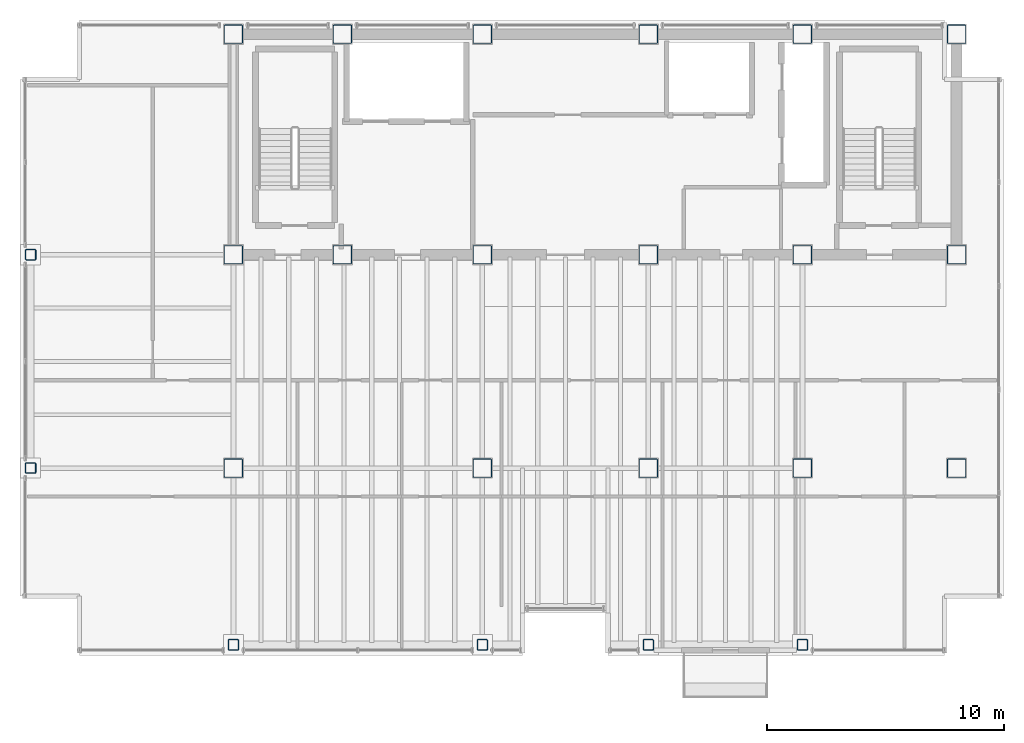
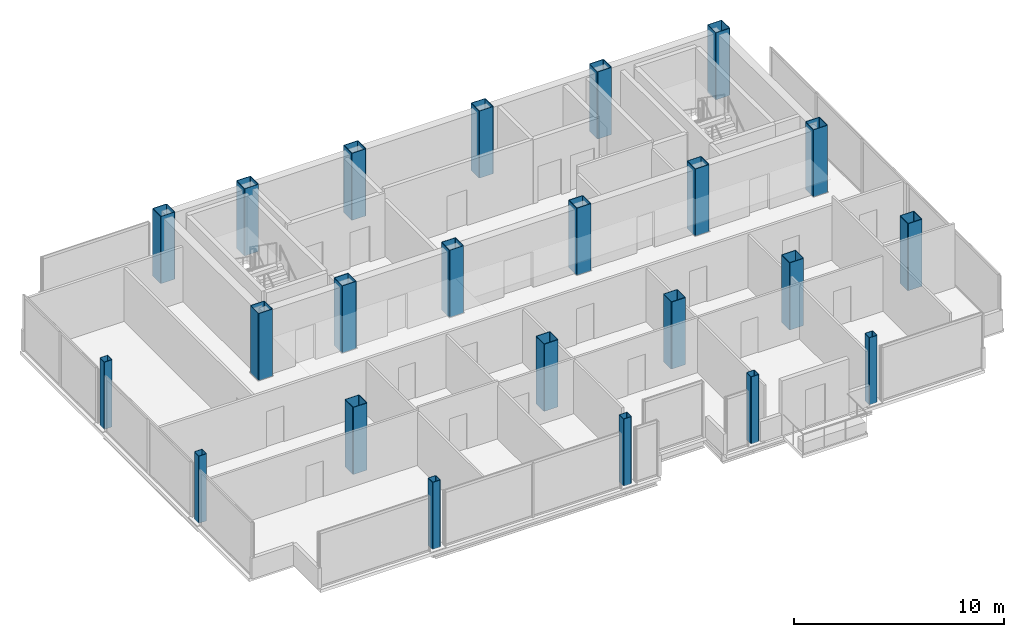
# One storey, part 1 of 17: 23 columns.
"""IFC4 building model written with IfcOpenShell, lengths in metres."""

import ifcopenshell
import ifcopenshell.guid

model = None  # the IFC model being written
_history = None  # IfcOwnerHistory: only IFC2X3 demands one
_inside = {}  # id of a spatial element -> (the spatial element, [elements in it])
_under = {}  # id of a project, library or spatial element -> (it, [spatial elements below it])
_declared = {}  # id of a project -> (the project, [libraries it declares])
_typed = {}  # id of a type object -> (the type object, [elements of that type])
_made_of = {}  # id of a material, layer set ... -> (it, [elements and type objects made of it])


def new_model(schema):
    """Start an empty IFC model of exactly this schema.

    Asked for "IFC4X3", IfcOpenShell would pick the latest addendum, in which some entities
    have other attributes; the version numbers below select the first issue.
    IFC2X3 requires an IfcOwnerHistory on every rooted entity: one is made here for all.
    """
    global model, _history
    if schema == "IFC4X3":
        model = ifcopenshell.file(schema_version=(4, 3, 0, 0))
    else:
        model = ifcopenshell.file(schema=schema)
    _inside.clear()
    _under.clear()
    _declared.clear()
    _typed.clear()
    _made_of.clear()
    _history = None
    if model.schema == "IFC2X3":
        org = make("IfcOrganization", Name="unknown")
        user = make(
            "IfcPersonAndOrganization",
            ThePerson=make("IfcPerson", FamilyName="unknown"),
            TheOrganization=org,
        )
        app = make(
            "IfcApplication",
            ApplicationDeveloper=org,
            Version="unknown",
            ApplicationFullName="unknown",
            ApplicationIdentifier="unknown",
        )
        _history = make(
            "IfcOwnerHistory",
            OwningUser=user,
            OwningApplication=app,
            ChangeAction="ADDED",
            CreationDate=0,
        )
    return model


def make(cls, **values):
    """One entity of the class cls with the attributes given. An attribute that is None is left unset."""
    return model.create_entity(
        cls, **{name: value for name, value in values.items() if value is not None}
    )


def rooted(cls, **values):
    """An entity with a GlobalId (a new one), such as an element, a storey or a relation."""
    return make(cls, GlobalId=ifcopenshell.guid.new(), OwnerHistory=_history, **values)


def si_unit(unit_type, name, prefix=None):
    """IfcSIUnit, for example si_unit("LENGTHUNIT", "METRE", prefix="MILLI")."""
    return make("IfcSIUnit", UnitType=unit_type, Prefix=prefix, Name=name)


def assignment(units):
    """IfcUnitAssignment: the units of a project."""
    return None if units is None else make("IfcUnitAssignment", Units=units)


def point(xyz):
    """IfcCartesianPoint."""
    return None if xyz is None else make("IfcCartesianPoint", Coordinates=xyz)


def direction(xyz):
    """IfcDirection."""
    return None if xyz is None else make("IfcDirection", DirectionRatios=xyz)


def frame(location, z_axis=None, x_axis=None):
    """IfcAxis2Placement3D, a coordinate frame: its origin and axes. An axis left out is left unset."""
    return make(
        "IfcAxis2Placement3D",
        Location=point(location),
        Axis=direction(z_axis),
        RefDirection=direction(x_axis),
    )


def frame_2d(location, x_axis=None):
    """IfcAxis2Placement2D, a coordinate frame in the plane: its origin and x axis."""
    return make(
        "IfcAxis2Placement2D", Location=point(location), RefDirection=direction(x_axis)
    )


def origin():
    """The frame at (0, 0, 0) with its axes left unset."""
    return frame((0.0, 0.0, 0.0))


def origin_2d():
    """The frame at (0, 0) in the plane with its x axis left unset."""
    return frame_2d((0.0, 0.0))


def place(relative_to, where):
    """IfcLocalPlacement: puts the frame where relative to a parent placement (None: the world)."""
    return make(
        "IfcLocalPlacement", PlacementRelTo=relative_to, RelativePlacement=where
    )


def context(
    kind, dimensions, precision=None, world=None, true_north=None, identifier=None
):
    """IfcGeometricRepresentationContext, for example the 3D "Model" context."""
    return make(
        "IfcGeometricRepresentationContext",
        ContextIdentifier=identifier,
        ContextType=kind,
        CoordinateSpaceDimension=dimensions,
        Precision=precision,
        WorldCoordinateSystem=world,
        TrueNorth=true_north,
    )


def subcontext(parent, identifier, kind, view, scale=None):
    """IfcGeometricRepresentationSubContext, for example "Body" below "Model"."""
    return make(
        "IfcGeometricRepresentationSubContext",
        ContextIdentifier=identifier,
        ContextType=kind,
        ParentContext=parent,
        TargetScale=scale,
        TargetView=view,
    )


def project(units=None, contexts=None):
    """IfcProject with its units and contexts."""
    return rooted(
        "IfcProject",
        Name="project",
        RepresentationContexts=contexts,
        UnitsInContext=assignment(units),
    )


def spatial(cls, under=None, at=None, **own):
    """A site, building, storey or space (cls), placed at a placement, below another one or the project."""
    s = rooted(cls, ObjectPlacement=at, **own)
    if under is not None:
        _under.setdefault(under.id(), (under, []))[1].append(s)
    return s


def profile(cls, at=None, kind="AREA", **sizes):
    """A parametric profile (cls). Its sizes go by their IFC names, for example OverallWidth=200.0."""
    return make(cls, ProfileType=kind, Position=at, **sizes)


def hollow_rectangle(**sizes):
    """IfcRectangleHollowProfileDef."""
    return profile("IfcRectangleHollowProfileDef", **sizes)


def extrude(swept, where, along, depth):
    """IfcExtrudedAreaSolid: the profile swept, set in the frame where, extruded along a direction by depth."""
    return make(
        "IfcExtrudedAreaSolid",
        SweptArea=swept,
        Position=where,
        ExtrudedDirection=direction(along),
        Depth=depth,
    )


def shape(context_of_items, identifier, shape_type, items):
    """IfcShapeRepresentation: the items that make up one representation, for example the "Body"."""
    return make(
        "IfcShapeRepresentation",
        ContextOfItems=context_of_items,
        RepresentationIdentifier=identifier,
        RepresentationType=shape_type,
        Items=items,
    )


def material(Name=None, Category=None):
    """IfcMaterial."""
    return make("IfcMaterial", Name=Name, Category=Category)


def material_profile(
    of_material, cross_section, Name=None, Category=None, Priority=None
):
    """IfcMaterialProfile: a cross section and its material."""
    return make(
        "IfcMaterialProfile",
        Name=Name,
        Material=of_material,
        Profile=cross_section,
        Priority=Priority,
        Category=Category,
    )


def profile_set(profiles, Name=None, composite=None):
    """IfcMaterialProfileSet."""
    return make(
        "IfcMaterialProfileSet",
        Name=Name,
        MaterialProfiles=profiles,
        CompositeProfile=composite,
    )


def made_of(thing, what):
    """Note that an element or type object is made of a material, layer set ...; save() writes the relation."""
    if what is not None:
        _made_of.setdefault(what.id(), (what, []))[1].append(thing)
    return thing


def type_object(cls, material=None, **own):
    """A type object (cls), such as IfcWallType, which elements share."""
    return made_of(rooted(cls, **own), material)


def element(
    cls,
    number,
    at=None,
    inside=None,
    cuts=None,
    type_object=None,
    material=None,
    context=None,
    identifier="Body",
    shape_type=None,
    held_by="IfcProductDefinitionShape",
    body=None,
    shapes=None,
    **own,
):
    """One element of the class cls, such as IfcWall. Its Tag is "e" and its number.

    at: its placement. inside: the storey or other place that contains it. cuts: it is an
    opening in that element (IfcRelVoidsElement). A single representation is given by context,
    identifier, shape_type and body (its items); several are given by shapes. held_by: the class
    of the entity that holds the representations. save() writes the other relations.
    """
    e = rooted(cls, Tag="e%d" % number, ObjectPlacement=at, **own)
    if body is not None:
        shapes = [shape(context, identifier, shape_type, body)]
    if shapes is not None:
        e.Representation = make(held_by, Representations=shapes)
    if inside is not None:
        _inside.setdefault(inside.id(), (inside, []))[1].append(e)
    if cuts is not None:
        rooted(
            "IfcRelVoidsElement", RelatingBuildingElement=cuts, RelatedOpeningElement=e
        )
    if type_object is not None:
        _typed.setdefault(type_object.id(), (type_object, []))[1].append(e)
    return made_of(e, material)


def aggregate(whole, parts):
    """IfcRelAggregates: a whole, such as a stair, and the parts it consists of."""
    return rooted("IfcRelAggregates", RelatingObject=whole, RelatedObjects=parts)


def save(model, path):
    """Write the relations noted so far, then the file.

    IfcRelAggregates (storeys below a building ...), IfcRelContainedInSpatialStructure (elements
    in a storey), IfcRelDefinesByType, IfcRelAssociatesMaterial and IfcRelDeclares: one each for
    every whole, place, type object, material and project.
    """
    for whole, parts in _under.values():
        aggregate(whole, parts)
    for where, things in _inside.values():
        rooted(
            "IfcRelContainedInSpatialStructure",
            RelatedElements=things,
            RelatingStructure=where,
        )
    for kind, things in _typed.values():
        rooted("IfcRelDefinesByType", RelatedObjects=things, RelatingType=kind)
    for what, things in _made_of.values():
        rooted("IfcRelAssociatesMaterial", RelatedObjects=things, RelatingMaterial=what)
    for by, libraries in _declared.values():
        rooted("IfcRelDeclares", RelatingContext=by, RelatedDefinitions=libraries)
    model.write(path)


model = new_model("IFC4")

# Units and contexts
model_context = context("Model", 3, precision=1e-05, world=origin(), true_north=direction((0.0, 1.0)))
body_context = subcontext(model_context, "Body", "Model", "MODEL_VIEW")
ifc_project = project(units=[si_unit("LENGTHUNIT", "METRE"), si_unit("AREAUNIT", "SQUARE_METRE"), si_unit("VOLUMEUNIT", "CUBIC_METRE"), si_unit("PLANEANGLEUNIT", "RADIAN"), si_unit("MASSUNIT", "GRAM", prefix="KILO")], contexts=[model_context])

# Site, building, storey
site_placement = place(None, origin())
site = spatial("IfcSite", under=ifc_project, at=site_placement, CompositionType="ELEMENT")
building_placement = place(site_placement, origin())
building = spatial("IfcBuilding", under=site, at=building_placement, Name="Noeulbin Bourse Tower", CompositionType="ELEMENT")
storey_placement = place(building_placement, frame((0.0, 0.0, 250.10009765625)))
storey = spatial("IfcBuildingStorey", under=building, at=storey_placement, Name="L62", CompositionType="ELEMENT", Elevation=250.10009765625)

# Columns
ifc_material = material(Name="Steel S355", Category="steel")
ifc_material_profile_1 = material_profile(ifc_material, hollow_rectangle(XDim=0.449951171875, YDim=0.449951171875, WallThickness=0.02197265625, InnerFilletRadius=0.02197265625, OuterFilletRadius=0.0439453125, at=origin_2d()), Name="SHS-450x450x22", Category="LoadBearing")
ifc_profile_set_1 = profile_set([ifc_material_profile_1], Name="Steel S355")
column_type_1 = type_object("IfcColumnType", Name="COL-PER-Z3", PredefinedType="COLUMN", material=ifc_profile_set_1)
for number, where, z_axis, x_axis, name in (
    (1, (4.949951171875, 20.0, 0.0), (0.0, 0.0, 1.0), (1.0, 0.0, 0.0), "Tower Perimeter Column COL-PER-Z3 01"),
    (2, (4.949951171875, 29.0, 0.0), (0.0, 0.0, 1.0), (1.0, 0.0, 0.0), "Tower Perimeter Column COL-PER-Z3 02"),
    (3, (13.5, 12.550048828125, 0.0), (0.0, 0.0, 1.0), (1.0, 0.0, 0.0), "Tower Perimeter Column COL-PER-Z3 03"),
    (4, (24.0, 12.550048828125, 0.0), (0.0, 0.0, 1.0), (1.0, 0.0, 0.0), "Tower Perimeter Column COL-PER-Z3 04"),
    (5, (31.0, 12.550048828125, 0.0), (0.0, 0.0, 1.0), (1.0, 0.0, 0.0), "Tower Perimeter Column COL-PER-Z3 05"),
    (6, (37.5, 12.550048828125, 0.0), (0.0, 0.0, 1.0), (1.0, 0.0, 0.0), "Tower Perimeter Column COL-PER-Z3 06"),
):
    element("IfcColumn", number, at=place(storey_placement, frame(where, z_axis=z_axis, x_axis=x_axis)), inside=storey, type_object=column_type_1, Name=name, PredefinedType="COLUMN", context=body_context, shape_type="SweptSolid", body=[
        extrude(hollow_rectangle(XDim=0.449951171875, YDim=0.449951171875, WallThickness=0.02197265625, InnerFilletRadius=0.02197265625, OuterFilletRadius=0.0439453125, at=origin_2d()), origin(), (0.0, 0.0, 1.0), 3.89990234375),
    ])
ifc_material_profile_2 = material_profile(ifc_material, hollow_rectangle(XDim=0.800048828125, YDim=0.800048828125, WallThickness=0.031982421875, InnerFilletRadius=0.01611328125, OuterFilletRadius=0.048095703125, at=origin_2d()), Name="BOX-800x800x32", Category="LoadBearing")
ifc_profile_set_2 = profile_set([ifc_material_profile_2], Name="Steel S355")
column_type_2 = type_object("IfcColumnType", Name="COL-TRK-Z3", PredefinedType="COLUMN", material=ifc_profile_set_2)
for number, where, z_axis, x_axis, name in (
    (7, (13.5, 29.0, 0.0), (0.0, 0.0, 1.0), (1.0, 0.0, 0.0), "Tower Trunk Mega-Column COL-TRK-Z3 01"),
    (8, (13.5, 38.300048828125, 0.0), (0.0, 0.0, 1.0), (1.0, 0.0, 0.0), "Tower Trunk Mega-Column COL-TRK-Z3 02"),
    (9, (18.10009765625, 29.0, 0.0), (0.0, 0.0, 1.0), (1.0, 0.0, 0.0), "Tower Trunk Mega-Column COL-TRK-Z3 03"),
    (10, (18.10009765625, 38.300048828125, 0.0), (0.0, 0.0, 1.0), (1.0, 0.0, 0.0), "Tower Trunk Mega-Column COL-TRK-Z3 04"),
    (11, (24.0, 29.0, 0.0), (0.0, 0.0, 1.0), (1.0, 0.0, 0.0), "Tower Trunk Mega-Column COL-TRK-Z3 05"),
    (12, (24.0, 38.300048828125, 0.0), (0.0, 0.0, 1.0), (1.0, 0.0, 0.0), "Tower Trunk Mega-Column COL-TRK-Z3 06"),
    (13, (31.0, 29.0, 0.0), (0.0, 0.0, 1.0), (1.0, 0.0, 0.0), "Tower Trunk Mega-Column COL-TRK-Z3 07"),
    (14, (31.0, 38.300048828125, 0.0), (0.0, 0.0, 1.0), (1.0, 0.0, 0.0), "Tower Trunk Mega-Column COL-TRK-Z3 08"),
    (15, (37.5, 29.0, 0.0), (0.0, 0.0, 1.0), (1.0, 0.0, 0.0), "Tower Trunk Mega-Column COL-TRK-Z3 09"),
    (16, (37.5, 38.300048828125, 0.0), (0.0, 0.0, 1.0), (1.0, 0.0, 0.0), "Tower Trunk Mega-Column COL-TRK-Z3 10"),
    (17, (44.0, 29.0, 0.0), (0.0, 0.0, 1.0), (1.0, 0.0, 0.0), "Tower Trunk Mega-Column COL-TRK-Z3 11"),
    (18, (44.0, 38.300048828125, 0.0), (0.0, 0.0, 1.0), (1.0, 0.0, 0.0), "Tower Trunk Mega-Column COL-TRK-Z3 12"),
    (19, (13.5, 20.0, 0.0), (0.0, 0.0, 1.0), (1.0, 0.0, 0.0), "Tower Trunk Mega-Column COL-TRK-Z3 13"),
    (20, (24.0, 20.0, 0.0), (0.0, 0.0, 1.0), (1.0, 0.0, 0.0), "Tower Trunk Mega-Column COL-TRK-Z3 14"),
    (21, (31.0, 20.0, 0.0), (0.0, 0.0, 1.0), (1.0, 0.0, 0.0), "Tower Trunk Mega-Column COL-TRK-Z3 15"),
    (22, (37.5, 20.0, 0.0), (0.0, 0.0, 1.0), (1.0, 0.0, 0.0), "Tower Trunk Mega-Column COL-TRK-Z3 16"),
    (23, (44.0, 20.0, 0.0), (0.0, 0.0, 1.0), (1.0, 0.0, 0.0), "Tower Trunk Mega-Column COL-TRK-Z3 17"),
):
    element("IfcColumn", number, at=place(storey_placement, frame(where, z_axis=z_axis, x_axis=x_axis)), inside=storey, type_object=column_type_2, Name=name, PredefinedType="COLUMN", context=body_context, shape_type="SweptSolid", body=[
        extrude(hollow_rectangle(XDim=0.800048828125, YDim=0.800048828125, WallThickness=0.031982421875, InnerFilletRadius=0.01611328125, OuterFilletRadius=0.048095703125, at=origin_2d()), origin(), (0.0, 0.0, 1.0), 3.89990234375),
    ])

save(model, "model.ifc")
